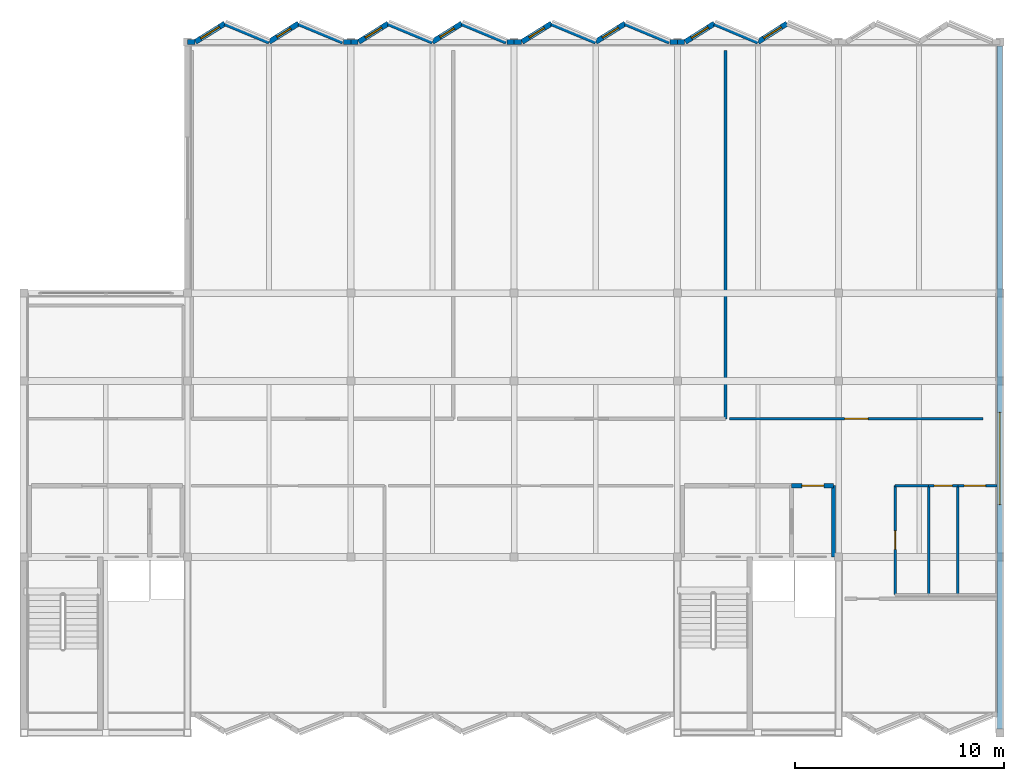
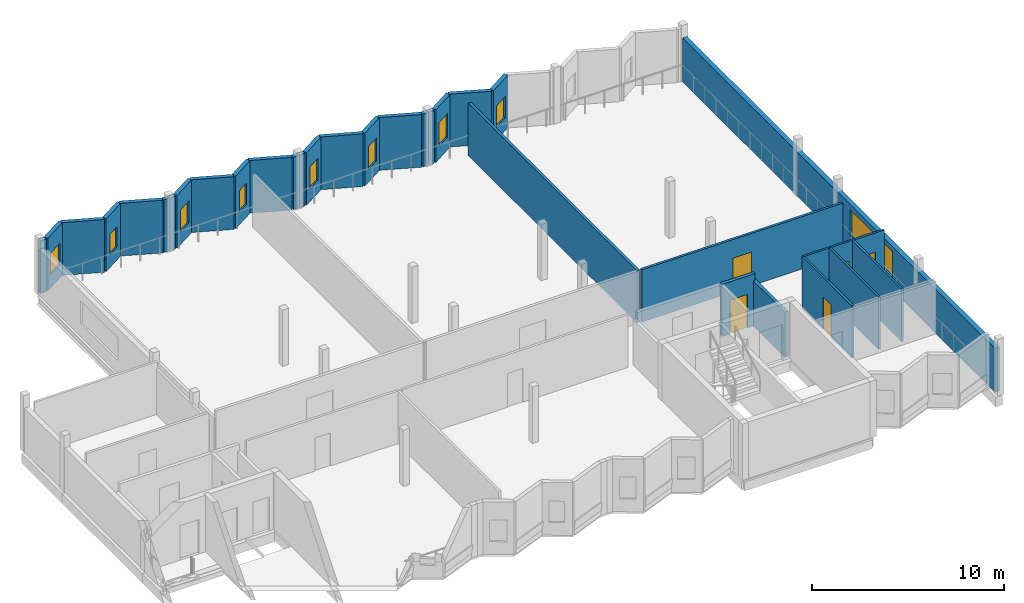
# One storey, part 6 of 11: 33 walls, 9 windows, 5 doors, 14 openings.
"""IFC4 building model written with IfcOpenShell, lengths in metres."""

from ifc_helpers import new_model, si_unit, direction, frame, frame_2d, origin, place, context, subcontext, project, spatial, rectangle, extrude, material, layer, layer_set, type_object, element, fill, save


model = new_model("IFC4")

# Units and contexts
model_context = context("Model", 3, precision=1e-05, world=origin(), true_north=direction((0.0, 1.0)))
body_context = subcontext(model_context, "Body", "Model", "MODEL_VIEW")
ifc_project = project(units=[si_unit("LENGTHUNIT", "METRE"), si_unit("AREAUNIT", "SQUARE_METRE"), si_unit("VOLUMEUNIT", "CUBIC_METRE"), si_unit("PLANEANGLEUNIT", "RADIAN"), si_unit("MASSUNIT", "GRAM", prefix="KILO")], contexts=[model_context])

# Site, building, storey
site_placement = place(None, origin())
site = spatial("IfcSite", under=ifc_project, at=site_placement, CompositionType="ELEMENT")
building_placement = place(site_placement, origin())
building = spatial("IfcBuilding", under=site, at=building_placement, Name="Vharandega Faculty of Natural Sciences", CompositionType="ELEMENT")
storey_placement = place(building_placement, frame((0.0, 0.0, 36.0)))
storey = spatial("IfcBuildingStorey", under=building, at=storey_placement, Name="L09", CompositionType="ELEMENT", Elevation=36.0)

# Wall, opening, door
ifc_material_1 = material(Name="Concrete C40/50", Category="concrete")
ifc_layer_1 = layer(ifc_material_1, 0.199951171875, Name="Concrete C40/50")
ifc_layer_set_1 = layer_set([ifc_layer_1], Name="Concrete C40/50")
wall_type_1 = type_object("IfcWallType", Name="Firefighting Lobby Wall 200", PredefinedType="PARTITIONING", material=ifc_layer_set_1)
wall_1_placement = place(storey_placement, frame((151.449951171875, 75.800048828125, 0.0), z_axis=(0.0, 0.0, 1.0), x_axis=(1.0, 0.0, 0.0)))
wall_1 = element("IfcWall", 1, at=wall_1_placement, inside=storey, type_object=wall_type_1, Name="Interior Wall PW-LL-C2-L09-N", PredefinedType="PARTITIONING", context=body_context, shape_type="SweptSolid", body=[
    extrude(rectangle(XDim=2.0, YDim=0.199951171875, at=frame_2d((1.0, 0.0))), origin(), (0.0, 0.0, 1.0), 3.320068359375),
])
opening_1_placement = place(wall_1_placement, frame((0.5, 0.0, 0.0)))
opening_1 = element("IfcOpeningElement", 2, at=opening_1_placement, cuts=wall_1, Name="Opening FD4", PredefinedType="OPENING", context=body_context, shape_type="SweptSolid", body=[
    extrude(rectangle(XDim=1.050048828125, YDim=2.14990234375, at=frame_2d((0.52490234375, 1.074951171875))), frame((0.0, 0.10986328125, 0.0), z_axis=(0.0, -1.0, 0.0), x_axis=(1.0, 0.0, 0.0)), (0.0, 0.0, 1.0), 0.219970703125),
])
ifc_material_2 = material(Name="Solid-core hardwood timber fire door", Category="wood")
door_type_1 = type_object("IfcDoorType", Name="FD4-LAB-SGL-1050x2150", OperationType="NOTDEFINED", PredefinedType="DOOR", material=ifc_material_2)
door_1_placement = place(opening_1_placement, origin())
door_1 = element("IfcDoor", 3, at=door_1_placement, inside=storey, type_object=door_type_1, Name="Lift Lobby C2 Door FD4", OperationType="SINGLE_SWING_LEFT", OverallHeight=2.14990234375, OverallWidth=1.050048828125, PredefinedType="DOOR", context=body_context, shape_type="SweptSolid", body=[
    extrude(rectangle(XDim=1.050048828125, YDim=2.14990234375, at=frame_2d((0.52490234375, 1.074951171875))), frame((0.0, 0.02490234375, 0.0), z_axis=(0.0, -1.0, 0.0), x_axis=(1.0, 0.0, 0.0)), (0.0, 0.0, 1.0), 0.050048828125),
])
fill(opening_1, door_1)

# Walls
wall_2_placement = place(storey_placement, frame((153.449951171875, 72.39990234375, 0.0), z_axis=(0.0, 0.0, 1.0), x_axis=(0.0, 1.0, 0.0)))
element("IfcWall", 4, at=wall_2_placement, inside=storey, type_object=wall_type_1, Name="Interior Wall PW-LL-C2-L09-E", PredefinedType="PARTITIONING", context=body_context, shape_type="SweptSolid", body=[
    extrude(rectangle(XDim=3.400146484375, YDim=0.199951171875, at=frame_2d((1.7001953125, 0.0))), origin(), (0.0, 0.0, 1.0), 2.8798828125),
])
ifc_material_3 = material(Name="Gypsum fire-board on steel stud", Category="steel")
ifc_layer_2 = layer(ifc_material_3, 0.159912109375, Name="Gypsum fire-board on steel stud")
ifc_layer_set_2 = layer_set([ifc_layer_2], Name="Gypsum fire-board on steel stud")
wall_type_2 = type_object("IfcWallType", Name="Laboratory Fire Corridor Wall 160", PredefinedType="PARTITIONING", material=ifc_layer_set_2)
wall_3_placement = place(storey_placement, frame((148.300048828125, 79.0, 0.0), z_axis=(0.0, 0.0, 1.0), x_axis=(0.0, 1.0, 0.0)))
element("IfcWall", 5, at=wall_3_placement, inside=storey, type_object=wall_type_2, Name="Interior Wall PW-L09-R09E", PredefinedType="PARTITIONING", context=body_context, shape_type="SweptSolid", body=[
    extrude(rectangle(XDim=17.60009765625, YDim=0.159912109375, at=frame_2d((8.800048828125, 0.0))), origin(), (0.0, 0.0, 1.0), 3.340087890625),
])

# Wall, opening, door
ifc_material_4 = material(Name="Gypsum acoustic partition", Category="gypsum")
ifc_layer_3 = layer(ifc_material_4, 0.139892578125, Name="Gypsum acoustic partition")
ifc_layer_set_3 = layer_set([ifc_layer_3], Name="Gypsum acoustic partition")
wall_type_3 = type_object("IfcWallType", Name="Room Partition Wall 140", PredefinedType="PARTITIONING", material=ifc_layer_set_3)
wall_4_placement = place(storey_placement, frame((148.5, 79.0, 0.0), z_axis=(0.0, 0.0, 1.0), x_axis=(1.0, 0.0, 0.0)))
wall_4 = element("IfcWall", 6, at=wall_4_placement, inside=storey, type_object=wall_type_3, Name="Interior Wall PW-L09-R10S", PredefinedType="PARTITIONING", context=body_context, shape_type="SweptSolid", body=[
    extrude(rectangle(XDim=12.10009765625, YDim=0.139892578125, at=frame_2d((6.050048828125, 0.0))), origin(), (0.0, 0.0, 1.0), 3.340087890625),
])
opening_2_placement = place(wall_4_placement, frame((5.489990234375, 0.0, 0.0)))
opening_2 = element("IfcOpeningElement", 7, at=opening_2_placement, cuts=wall_4, Name="Opening D0371", PredefinedType="OPENING", context=body_context, shape_type="SweptSolid", body=[
    extrude(rectangle(XDim=1.1201171875, YDim=2.14990234375, at=frame_2d((0.56005859375, 1.074951171875))), frame((0.0, 0.080078125, 0.0), z_axis=(0.0, -1.0, 0.0), x_axis=(1.0, 0.0, 0.0)), (0.0, 0.0, 1.0), 0.159912109375),
])
ifc_material_5 = material(Name="Solid-core hardwood timber fire door", Category="wood")
door_type_2 = type_object("IfcDoorType", Name="ID12-STUDIO-1120x2150", OperationType="NOTDEFINED", PredefinedType="DOOR", material=ifc_material_5)
door_2_placement = place(opening_2_placement, origin())
door_2 = element("IfcDoor", 8, at=door_2_placement, inside=storey, type_object=door_type_2, Name="Postgraduate Write-Up Studio 9A Door D0371", OperationType="SINGLE_SWING_RIGHT", OverallHeight=2.14990234375, OverallWidth=1.1201171875, PredefinedType="DOOR", context=body_context, shape_type="SweptSolid", body=[
    extrude(rectangle(XDim=1.1201171875, YDim=2.14990234375, at=frame_2d((0.56005859375, 1.074951171875))), frame((0.0, 0.02490234375, 0.0), z_axis=(0.0, -1.0, 0.0), x_axis=(1.0, 0.0, 0.0)), (0.0, 0.0, 1.0), 0.050048828125),
])
fill(opening_2, door_2)

# Wall
ifc_material_6 = material(Name="Moisture-resistant gypsum partition", Category="gypsum")
ifc_layer_4 = layer(ifc_material_6, 0.1201171875, Name="Moisture-resistant gypsum partition")
ifc_layer_set_4 = layer_set([ifc_layer_4], Name="Moisture-resistant gypsum partition")
wall_type_4 = type_object("IfcWallType", Name="Sanitary Wet Wall 120", PredefinedType="PARTITIONING", material=ifc_layer_set_4)
wall_5_placement = place(storey_placement, frame((156.39990234375, 75.800048828125, 0.0), z_axis=(0.0, 0.0, 1.0), x_axis=(1.0, 0.0, 0.0)))
element("IfcWall", 9, at=wall_5_placement, inside=storey, type_object=wall_type_4, Name="Interior Wall PW-L09-R04N", PredefinedType="PARTITIONING", context=body_context, shape_type="SweptSolid", body=[
    extrude(rectangle(XDim=1.60009765625, YDim=0.1201171875, at=frame_2d((0.800048828125, 0.0))), origin(), (0.0, 0.0, 1.0), 3.340087890625),
])

# Wall, opening, door
wall_6_placement = place(storey_placement, frame((156.39990234375, 70.60009765625, 0.0), z_axis=(0.0, 0.0, 1.0), x_axis=(0.0, 1.0, 0.0)))
wall_6 = element("IfcWall", 10, at=wall_6_placement, inside=storey, type_object=wall_type_4, Name="Interior Wall PW-L09-R04W", PredefinedType="PARTITIONING", context=body_context, shape_type="SweptSolid", body=[
    extrude(rectangle(XDim=5.199951171875, YDim=0.1201171875, at=frame_2d((2.60009765625, 0.0))), origin(), (0.0, 0.0, 1.0), 3.340087890625),
])
opening_3_placement = place(wall_6_placement, frame((2.159912109375, 0.0, 0.0)))
opening_3 = element("IfcOpeningElement", 11, at=opening_3_placement, cuts=wall_6, Name="Opening D0365", PredefinedType="OPENING", context=body_context, shape_type="SweptSolid", body=[
    extrude(rectangle(XDim=0.8798828125, YDim=2.10009765625, at=frame_2d((0.43994140625, 1.050048828125))), frame((0.0, 0.070068359375, 0.0), z_axis=(0.0, -1.0, 0.0), x_axis=(1.0, 0.0, 0.0)), (0.0, 0.0, 1.0), 0.14013671875),
])
ifc_material_7 = material(Name="Solid-core hardwood timber fire door", Category="wood")
door_type_3 = type_object("IfcDoorType", Name="ID06-WC-0880x2100", OperationType="NOTDEFINED", PredefinedType="DOOR", material=ifc_material_7)
door_3_placement = place(opening_3_placement, origin())
door_3 = element("IfcDoor", 12, at=door_3_placement, inside=storey, type_object=door_type_3, Name="L09 Male Washroom Door D0365", OperationType="SINGLE_SWING_RIGHT", OverallHeight=2.10009765625, OverallWidth=0.8798828125, PredefinedType="DOOR", context=body_context, shape_type="SweptSolid", body=[
    extrude(rectangle(XDim=0.8798828125, YDim=2.10009765625, at=frame_2d((0.43994140625, 1.050048828125))), frame((0.0, 0.02490234375, 0.0), z_axis=(0.0, -1.0, 0.0), x_axis=(1.0, 0.0, 0.0)), (0.0, 0.0, 1.0), 0.050048828125),
])
fill(opening_3, door_3)

# Wall
wall_7_placement = place(storey_placement, frame((158.0, 70.60009765625, 0.0), z_axis=(0.0, 0.0, 1.0), x_axis=(0.0, 1.0, 0.0)))
element("IfcWall", 13, at=wall_7_placement, inside=storey, type_object=wall_type_4, Name="Interior Wall PW-L09-R04E", PredefinedType="PARTITIONING", context=body_context, shape_type="SweptSolid", body=[
    extrude(rectangle(XDim=5.199951171875, YDim=0.1201171875, at=frame_2d((2.60009765625, 0.0))), origin(), (0.0, 0.0, 1.0), 3.340087890625),
])

# Wall, opening, door
wall_8_placement = place(storey_placement, frame((158.0, 75.800048828125, 0.0), z_axis=(0.0, 0.0, 1.0), x_axis=(1.0, 0.0, 0.0)))
wall_8 = element("IfcWall", 14, at=wall_8_placement, inside=storey, type_object=wall_type_4, Name="Interior Wall PW-L09-R05N", PredefinedType="PARTITIONING", context=body_context, shape_type="SweptSolid", body=[
    extrude(rectangle(XDim=1.39990234375, YDim=0.1201171875, at=frame_2d((0.699951171875, 0.0))), origin(), (0.0, 0.0, 1.0), 3.340087890625),
])
opening_4_placement = place(wall_8_placement, frame((0.260009765625, 0.0, 0.0)))
opening_4 = element("IfcOpeningElement", 15, at=opening_4_placement, cuts=wall_8, Name="Opening D0366", PredefinedType="OPENING", context=body_context, shape_type="SweptSolid", body=[
    extrude(rectangle(XDim=0.8798828125, YDim=2.10009765625, at=frame_2d((0.43994140625, 1.050048828125))), frame((0.0, 0.070068359375, 0.0), z_axis=(0.0, -1.0, 0.0), x_axis=(1.0, 0.0, 0.0)), (0.0, 0.0, 1.0), 0.14013671875),
])
door_4_placement = place(opening_4_placement, origin())
door_4 = element("IfcDoor", 16, at=door_4_placement, inside=storey, type_object=door_type_3, Name="L09 Female Washroom Door D0366", OperationType="SINGLE_SWING_LEFT", OverallHeight=2.10009765625, OverallWidth=0.8798828125, PredefinedType="DOOR", context=body_context, shape_type="SweptSolid", body=[
    extrude(rectangle(XDim=0.8798828125, YDim=2.10009765625, at=frame_2d((0.43994140625, 1.050048828125))), frame((0.0, 0.02490234375, 0.0), z_axis=(0.0, -1.0, 0.0), x_axis=(1.0, 0.0, 0.0)), (0.0, 0.0, 1.0), 0.050048828125),
])
fill(opening_4, door_4)

# Wall
wall_9_placement = place(storey_placement, frame((159.39990234375, 70.60009765625, 0.0), z_axis=(0.0, 0.0, 1.0), x_axis=(0.0, 1.0, 0.0)))
element("IfcWall", 17, at=wall_9_placement, inside=storey, type_object=wall_type_4, Name="Interior Wall PW-L09-R05E", PredefinedType="PARTITIONING", context=body_context, shape_type="SweptSolid", body=[
    extrude(rectangle(XDim=5.199951171875, YDim=0.1201171875, at=frame_2d((2.60009765625, 0.0))), origin(), (0.0, 0.0, 1.0), 3.340087890625),
])

# Wall, opening, door
wall_10_placement = place(storey_placement, frame((159.39990234375, 75.800048828125, 0.0), z_axis=(0.0, 0.0, 1.0), x_axis=(1.0, 0.0, 0.0)))
wall_10 = element("IfcWall", 18, at=wall_10_placement, inside=storey, type_object=wall_type_4, Name="Interior Wall PW-L09-R06N", PredefinedType="PARTITIONING", context=body_context, shape_type="SweptSolid", body=[
    extrude(rectangle(XDim=1.860107421875, YDim=0.1201171875, at=frame_2d((0.93017578125, 0.0))), origin(), (0.0, 0.0, 1.0), 3.340087890625),
])
opening_5_placement = place(wall_10_placement, frame((0.300048828125, 0.0, 0.0)))
opening_5 = element("IfcOpeningElement", 19, at=opening_5_placement, cuts=wall_10, Name="Opening D0367", PredefinedType="OPENING", context=body_context, shape_type="SweptSolid", body=[
    extrude(rectangle(XDim=1.02001953125, YDim=2.10009765625, at=frame_2d((0.510009765625, 1.050048828125))), frame((0.0, 0.070068359375, 0.0), z_axis=(0.0, -1.0, 0.0), x_axis=(1.0, 0.0, 0.0)), (0.0, 0.0, 1.0), 0.14013671875),
])
ifc_material_8 = material(Name="Solid-core hardwood timber fire door", Category="wood")
door_type_4 = type_object("IfcDoorType", Name="ID07-ACCWC-1020x2100", OperationType="NOTDEFINED", PredefinedType="DOOR", material=ifc_material_8)
door_5_placement = place(opening_5_placement, origin())
door_5 = element("IfcDoor", 20, at=door_5_placement, inside=storey, type_object=door_type_4, Name="L09 Accessible WC Door D0367", OperationType="SINGLE_SWING_RIGHT", OverallHeight=2.10009765625, OverallWidth=1.02001953125, PredefinedType="DOOR", context=body_context, shape_type="SweptSolid", body=[
    extrude(rectangle(XDim=1.02001953125, YDim=2.10009765625, at=frame_2d((0.510009765625, 1.050048828125))), frame((0.0, 0.02490234375, 0.0), z_axis=(0.0, -1.0, 0.0), x_axis=(1.0, 0.0, 0.0)), (0.0, 0.0, 1.0), 0.050048828125),
])
fill(opening_5, door_5)

# Wall, opening, window
ifc_material_9 = material(Name="Precast concrete C40/50", Category="concrete")
ifc_layer_5 = layer(ifc_material_9, 0.25, Name="Precast concrete C40/50")
ifc_layer_set_5 = layer_set([ifc_layer_5], Name="Precast concrete C40/50")
wall_type_5 = type_object("IfcWallType", Name="Sawtooth Glazed-Face Precast Wall 250", PredefinedType="SOLIDWALL", material=ifc_layer_set_5)
wall_11_placement = place(storey_placement, frame((122.97998046875, 97.0, 0.0), z_axis=(0.0, 0.0, 1.0), x_axis=(0.848023086369, 0.529959286158, 0.0)))
wall_11 = element("IfcWall", 21, at=wall_11_placement, inside=storey, type_object=wall_type_5, Name="Exterior Wall EW-SAW-L09-N01G", PredefinedType="SOLIDWALL", context=body_context, shape_type="SweptSolid", body=[
    extrude(rectangle(XDim=1.660400390625, YDim=0.25, at=frame_2d((0.830078125, 0.0))), origin(), (0.0, 0.0, 1.0), 3.360107421875),
])
opening_6_placement = place(wall_11_placement, frame((0.30517578125, 0.0, 0.820068359375)))
opening_6 = element("IfcOpeningElement", 22, at=opening_6_placement, cuts=wall_11, Name="Opening WN-06", PredefinedType="OPENING", context=body_context, shape_type="SweptSolid", body=[
    extrude(rectangle(XDim=1.050048828125, YDim=1.39990234375, at=frame_2d((0.52490234375, 0.699951171875))), frame((0.0, 0.135009765625, 0.0), z_axis=(0.0, -1.0, 0.0), x_axis=(1.0, 0.0, 0.0)), (0.0, 0.0, 1.0), 0.27001953125),
])
ifc_material_10 = material(Name="Double-glazed solar-control glass in thermally broken aluminium frame", Category="aluminium")
window_type_1 = type_object("IfcWindowType", Name="WIN-SAW-105x140", PartitioningType="SINGLE_PANEL", PredefinedType="WINDOW", material=ifc_material_10)
window_1_placement = place(opening_6_placement, origin())
window_1 = element("IfcWindow", 23, at=window_1_placement, inside=storey, type_object=window_type_1, Name="Window WIN-L09-0089", OverallHeight=1.39990234375, OverallWidth=1.050048828125, PartitioningType="SINGLE_PANEL", PredefinedType="WINDOW", context=body_context, shape_type="SweptSolid", body=[
    extrude(rectangle(XDim=1.050048828125, YDim=1.39990234375, at=frame_2d((0.52490234375, 0.699951171875))), frame((0.0, 0.030029296875, 0.0), z_axis=(0.0, -1.0, 0.0), x_axis=(1.0, 0.0, 0.0)), (0.0, 0.0, 1.0), 0.06005859375),
])
fill(opening_6, window_1)

wall_12_placement = place(storey_placement, frame((126.5, 97.0, 0.0), z_axis=(0.0, 0.0, 1.0), x_axis=(0.848023086369, 0.529959286158, 0.0)))
wall_12 = element("IfcWall", 24, at=wall_12_placement, inside=storey, type_object=wall_type_5, Name="Exterior Wall EW-SAW-L09-N02G", PredefinedType="SOLIDWALL", context=body_context, shape_type="SweptSolid", body=[
    extrude(rectangle(XDim=1.660400390625, YDim=0.25, at=frame_2d((0.830078125, 0.0))), origin(), (0.0, 0.0, 1.0), 3.360107421875),
])
opening_7_placement = place(wall_12_placement, frame((0.440185546875, 0.0, 0.820068359375)))
opening_7 = element("IfcOpeningElement", 25, at=opening_7_placement, cuts=wall_12, Name="Opening WN-06A", PredefinedType="OPENING", context=body_context, shape_type="SweptSolid", body=[
    extrude(rectangle(XDim=0.780029296875, YDim=1.300048828125, at=frame_2d((0.39013671875, 0.64990234375))), frame((0.0, 0.135009765625, 0.0), z_axis=(0.0, -1.0, 0.0), x_axis=(1.0, 0.0, 0.0)), (0.0, 0.0, 1.0), 0.27001953125),
])
ifc_material_11 = material(Name="Double-glazed solar-control glass in thermally broken aluminium frame", Category="aluminium")
window_type_2 = type_object("IfcWindowType", Name="WIN-SAW-078x130", PartitioningType="SINGLE_PANEL", PredefinedType="WINDOW", material=ifc_material_11)
window_2_placement = place(opening_7_placement, origin())
window_2 = element("IfcWindow", 26, at=window_2_placement, inside=storey, type_object=window_type_2, Name="Window WIN-L09-0090", OverallHeight=1.300048828125, OverallWidth=0.780029296875, PartitioningType="SINGLE_PANEL", PredefinedType="WINDOW", context=body_context, shape_type="SweptSolid", body=[
    extrude(rectangle(XDim=0.780029296875, YDim=1.300048828125, at=frame_2d((0.39013671875, 0.64990234375))), frame((0.0, 0.030029296875, 0.0), z_axis=(0.0, -1.0, 0.0), x_axis=(1.0, 0.0, 0.0)), (0.0, 0.0, 1.0), 0.06005859375),
])
fill(opening_7, window_2)

wall_13_placement = place(storey_placement, frame((130.780029296875, 97.0, 0.0), z_axis=(0.0, 0.0, 1.0), x_axis=(0.848023086369, 0.529959286158, 0.0)))
wall_13 = element("IfcWall", 27, at=wall_13_placement, inside=storey, type_object=wall_type_5, Name="Exterior Wall EW-SAW-L09-N03G", PredefinedType="SOLIDWALL", context=body_context, shape_type="SweptSolid", body=[
    extrude(rectangle(XDim=1.660400390625, YDim=0.25, at=frame_2d((0.830078125, 0.0))), origin(), (0.0, 0.0, 1.0), 3.360107421875),
])
opening_8_placement = place(wall_13_placement, frame((0.3701171875, 0.0, 0.820068359375)))
opening_8 = element("IfcOpeningElement", 28, at=opening_8_placement, cuts=wall_13, Name="Opening WN-06B", PredefinedType="OPENING", context=body_context, shape_type="SweptSolid", body=[
    extrude(rectangle(XDim=0.919921875, YDim=1.3798828125, at=frame_2d((0.4599609375, 0.68994140625))), frame((0.0, 0.135009765625, 0.0), z_axis=(0.0, -1.0, 0.0), x_axis=(1.0, 0.0, 0.0)), (0.0, 0.0, 1.0), 0.27001953125),
])
ifc_material_12 = material(Name="Double-glazed solar-control glass in thermally broken aluminium frame", Category="aluminium")
window_type_3 = type_object("IfcWindowType", Name="WIN-SAW-092x138", PartitioningType="SINGLE_PANEL", PredefinedType="WINDOW", material=ifc_material_12)
window_3_placement = place(opening_8_placement, origin())
window_3 = element("IfcWindow", 29, at=window_3_placement, inside=storey, type_object=window_type_3, Name="Window WIN-L09-0091", OverallHeight=1.3798828125, OverallWidth=0.919921875, PartitioningType="SINGLE_PANEL", PredefinedType="WINDOW", context=body_context, shape_type="SweptSolid", body=[
    extrude(rectangle(XDim=0.919921875, YDim=1.3798828125, at=frame_2d((0.4599609375, 0.68994140625))), frame((0.0, 0.030029296875, 0.0), z_axis=(0.0, -1.0, 0.0), x_axis=(1.0, 0.0, 0.0)), (0.0, 0.0, 1.0), 0.06005859375),
])
fill(opening_8, window_3)

wall_14_placement = place(storey_placement, frame((134.300048828125, 97.0, 0.0), z_axis=(0.0, 0.0, 1.0), x_axis=(0.848023086369, 0.529959286158, 0.0)))
wall_14 = element("IfcWall", 30, at=wall_14_placement, inside=storey, type_object=wall_type_5, Name="Exterior Wall EW-SAW-L09-N04G", PredefinedType="SOLIDWALL", context=body_context, shape_type="SweptSolid", body=[
    extrude(rectangle(XDim=1.660400390625, YDim=0.25, at=frame_2d((0.830078125, 0.0))), origin(), (0.0, 0.0, 1.0), 3.360107421875),
])
opening_9_placement = place(wall_14_placement, frame((0.43017578125, 0.0, 0.820068359375)))
opening_9 = element("IfcOpeningElement", 31, at=opening_9_placement, cuts=wall_14, Name="Opening WN-01", PredefinedType="OPENING", context=body_context, shape_type="SweptSolid", body=[
    extrude(rectangle(XDim=0.800048828125, YDim=1.35009765625, at=frame_2d((0.39990234375, 0.675048828125))), frame((0.0, 0.135009765625, 0.0), z_axis=(0.0, -1.0, 0.0), x_axis=(1.0, 0.0, 0.0)), (0.0, 0.0, 1.0), 0.27001953125),
])
ifc_material_13 = material(Name="Double-glazed solar-control glass in thermally broken aluminium frame", Category="aluminium")
window_type_4 = type_object("IfcWindowType", Name="WIN-SAW-080x135", PartitioningType="SINGLE_PANEL", PredefinedType="WINDOW", material=ifc_material_13)
window_4_placement = place(opening_9_placement, origin())
window_4 = element("IfcWindow", 32, at=window_4_placement, inside=storey, type_object=window_type_4, Name="Window WIN-L09-0092", OverallHeight=1.35009765625, OverallWidth=0.800048828125, PartitioningType="SINGLE_PANEL", PredefinedType="WINDOW", context=body_context, shape_type="SweptSolid", body=[
    extrude(rectangle(XDim=0.800048828125, YDim=1.35009765625, at=frame_2d((0.39990234375, 0.675048828125))), frame((0.0, 0.030029296875, 0.0), z_axis=(0.0, -1.0, 0.0), x_axis=(1.0, 0.0, 0.0)), (0.0, 0.0, 1.0), 0.06005859375),
])
fill(opening_9, window_4)

wall_15_placement = place(storey_placement, frame((138.580078125, 97.0, 0.0), z_axis=(0.0, 0.0, 1.0), x_axis=(0.848023086369, 0.529959286158, 0.0)))
wall_15 = element("IfcWall", 33, at=wall_15_placement, inside=storey, type_object=wall_type_5, Name="Exterior Wall EW-SAW-L09-N05G", PredefinedType="SOLIDWALL", context=body_context, shape_type="SweptSolid", body=[
    extrude(rectangle(XDim=1.660400390625, YDim=0.25, at=frame_2d((0.830078125, 0.0))), origin(), (0.0, 0.0, 1.0), 3.360107421875),
])
opening_10_placement = place(wall_15_placement, frame((0.4052734375, 0.0, 0.820068359375)))
opening_10 = element("IfcOpeningElement", 34, at=opening_10_placement, cuts=wall_15, Name="Opening WN-02", PredefinedType="OPENING", context=body_context, shape_type="SweptSolid", body=[
    extrude(rectangle(XDim=0.85009765625, YDim=1.39990234375, at=frame_2d((0.425048828125, 0.699951171875))), frame((0.0, 0.135009765625, 0.0), z_axis=(0.0, -1.0, 0.0), x_axis=(1.0, 0.0, 0.0)), (0.0, 0.0, 1.0), 0.27001953125),
])
ifc_material_14 = material(Name="Double-glazed solar-control glass in thermally broken aluminium frame", Category="aluminium")
window_type_5 = type_object("IfcWindowType", Name="WIN-SAW-085x140", PartitioningType="SINGLE_PANEL", PredefinedType="WINDOW", material=ifc_material_14)
window_5_placement = place(opening_10_placement, origin())
window_5 = element("IfcWindow", 35, at=window_5_placement, inside=storey, type_object=window_type_5, Name="Window WIN-L09-0093", OverallHeight=1.39990234375, OverallWidth=0.85009765625, PartitioningType="SINGLE_PANEL", PredefinedType="WINDOW", context=body_context, shape_type="SweptSolid", body=[
    extrude(rectangle(XDim=0.85009765625, YDim=1.39990234375, at=frame_2d((0.425048828125, 0.699951171875))), frame((0.0, 0.030029296875, 0.0), z_axis=(0.0, -1.0, 0.0), x_axis=(1.0, 0.0, 0.0)), (0.0, 0.0, 1.0), 0.06005859375),
])
fill(opening_10, window_5)

wall_16_placement = place(storey_placement, frame((142.10009765625, 97.0, 0.0), z_axis=(0.0, 0.0, 1.0), x_axis=(0.848023086369, 0.529959286158, 0.0)))
wall_16 = element("IfcWall", 36, at=wall_16_placement, inside=storey, type_object=wall_type_5, Name="Exterior Wall EW-SAW-L09-N06G", PredefinedType="SOLIDWALL", context=body_context, shape_type="SweptSolid", body=[
    extrude(rectangle(XDim=1.660400390625, YDim=0.25, at=frame_2d((0.830078125, 0.0))), origin(), (0.0, 0.0, 1.0), 3.360107421875),
])
opening_11_placement = place(wall_16_placement, frame((0.380126953125, 0.0, 0.820068359375)))
opening_11 = element("IfcOpeningElement", 37, at=opening_11_placement, cuts=wall_16, Name="Opening WN-03", PredefinedType="OPENING", context=body_context, shape_type="SweptSolid", body=[
    extrude(rectangle(XDim=0.89990234375, YDim=1.449951171875, at=frame_2d((0.449951171875, 0.72509765625))), frame((0.0, 0.135009765625, 0.0), z_axis=(0.0, -1.0, 0.0), x_axis=(1.0, 0.0, 0.0)), (0.0, 0.0, 1.0), 0.27001953125),
])
ifc_material_15 = material(Name="Double-glazed solar-control glass in thermally broken aluminium frame", Category="aluminium")
window_type_6 = type_object("IfcWindowType", Name="WIN-SAW-090x145", PartitioningType="SINGLE_PANEL", PredefinedType="WINDOW", material=ifc_material_15)
window_6_placement = place(opening_11_placement, origin())
window_6 = element("IfcWindow", 38, at=window_6_placement, inside=storey, type_object=window_type_6, Name="Window WIN-L09-0094", OverallHeight=1.449951171875, OverallWidth=0.89990234375, PartitioningType="SINGLE_PANEL", PredefinedType="WINDOW", context=body_context, shape_type="SweptSolid", body=[
    extrude(rectangle(XDim=0.89990234375, YDim=1.449951171875, at=frame_2d((0.449951171875, 0.72509765625))), frame((0.0, 0.030029296875, 0.0), z_axis=(0.0, -1.0, 0.0), x_axis=(1.0, 0.0, 0.0)), (0.0, 0.0, 1.0), 0.06005859375),
])
fill(opening_11, window_6)

wall_17_placement = place(storey_placement, frame((146.3798828125, 97.0, 0.0), z_axis=(0.0, 0.0, 1.0), x_axis=(0.844626536799, 0.535355968805, 0.0)))
wall_17 = element("IfcWall", 39, at=wall_17_placement, inside=storey, type_object=wall_type_5, Name="Exterior Wall EW-SAW-L09-N07G", PredefinedType="SOLIDWALL", context=body_context, shape_type="SweptSolid", body=[
    extrude(rectangle(XDim=1.6435546875, YDim=0.25, at=frame_2d((0.82177734375, 0.0))), origin(), (0.0, 0.0, 1.0), 3.360107421875),
])
opening_12_placement = place(wall_17_placement, frame((0.3466796875, 0.0, 0.820068359375)))
opening_12 = element("IfcOpeningElement", 40, at=opening_12_placement, cuts=wall_17, Name="Opening WN-04", PredefinedType="OPENING", context=body_context, shape_type="SweptSolid", body=[
    extrude(rectangle(XDim=0.949951171875, YDim=1.5, at=frame_2d((0.47509765625, 0.75))), frame((0.0, 0.135009765625, 0.0), z_axis=(0.0, -1.0, 0.0), x_axis=(1.0, 0.0, 0.0)), (0.0, 0.0, 1.0), 0.27001953125),
])
ifc_material_16 = material(Name="Double-glazed solar-control glass in thermally broken aluminium frame", Category="aluminium")
window_type_7 = type_object("IfcWindowType", Name="WIN-SAW-095x150", PartitioningType="SINGLE_PANEL", PredefinedType="WINDOW", material=ifc_material_16)
window_7_placement = place(opening_12_placement, origin())
window_7 = element("IfcWindow", 41, at=window_7_placement, inside=storey, type_object=window_type_7, Name="Window WIN-L09-0095", OverallHeight=1.5, OverallWidth=0.949951171875, PartitioningType="SINGLE_PANEL", PredefinedType="WINDOW", context=body_context, shape_type="SweptSolid", body=[
    extrude(rectangle(XDim=0.949951171875, YDim=1.5, at=frame_2d((0.47509765625, 0.75))), frame((0.0, 0.030029296875, 0.0), z_axis=(0.0, -1.0, 0.0), x_axis=(1.0, 0.0, 0.0)), (0.0, 0.0, 1.0), 0.06005859375),
])
fill(opening_12, window_7)

wall_18_placement = place(storey_placement, frame((149.85009765625, 97.0, 0.0), z_axis=(0.0, 0.0, 1.0), x_axis=(0.844583954912, 0.535423143976, 0.0)))
wall_18 = element("IfcWall", 42, at=wall_18_placement, inside=storey, type_object=wall_type_5, Name="Exterior Wall EW-SAW-L09-N08G", PredefinedType="SOLIDWALL", context=body_context, shape_type="SweptSolid", body=[
    extrude(rectangle(XDim=1.643310546875, YDim=0.25, at=frame_2d((0.82177734375, 0.0))), origin(), (0.0, 0.0, 1.0), 3.360107421875),
])
opening_13_placement = place(wall_18_placement, frame((0.32177734375, 0.0, 0.820068359375)))
opening_13 = element("IfcOpeningElement", 43, at=opening_13_placement, cuts=wall_18, Name="Opening WN-05", PredefinedType="OPENING", context=body_context, shape_type="SweptSolid", body=[
    extrude(rectangle(XDim=1.0, YDim=1.35009765625, at=frame_2d((0.5, 0.675048828125))), frame((0.0, 0.135009765625, 0.0), z_axis=(0.0, -1.0, 0.0), x_axis=(1.0, 0.0, 0.0)), (0.0, 0.0, 1.0), 0.27001953125),
])
ifc_material_17 = material(Name="Double-glazed solar-control glass in thermally broken aluminium frame", Category="aluminium")
window_type_8 = type_object("IfcWindowType", Name="WIN-SAW-100x135", PartitioningType="SINGLE_PANEL", PredefinedType="WINDOW", material=ifc_material_17)
window_8_placement = place(opening_13_placement, origin())
window_8 = element("IfcWindow", 44, at=window_8_placement, inside=storey, type_object=window_type_8, Name="Window WIN-L09-0096", OverallHeight=1.35009765625, OverallWidth=1.0, PartitioningType="SINGLE_PANEL", PredefinedType="WINDOW", context=body_context, shape_type="SweptSolid", body=[
    extrude(rectangle(XDim=1.0, YDim=1.35009765625, at=frame_2d((0.5, 0.675048828125))), frame((0.0, 0.030029296875, 0.0), z_axis=(0.0, -1.0, 0.0), x_axis=(1.0, 0.0, 0.0)), (0.0, 0.0, 1.0), 0.06005859375),
])
fill(opening_13, window_8)

# Walls
ifc_material_18 = material(Name="Precast concrete C40/50", Category="concrete")
ifc_layer_6 = layer(ifc_material_18, 0.22998046875, Name="Precast concrete C40/50")
ifc_layer_set_6 = layer_set([ifc_layer_6], Name="Precast concrete C40/50")
wall_type_6 = type_object("IfcWallType", Name="Sawtooth Solid White Precast Wall 230", PredefinedType="SOLIDWALL", material=ifc_layer_set_6)
for number, where, z_axis, x_axis, name in (
    (45, (122.60009765625, 97.0, 0.0), (0.0, 0.0, 1.0), (1.0, 0.0, 0.0), "Exterior Wall EW-SHL-L09-N16L"),
    (46, (130.050048828125, 97.0, 0.0), (0.0, 0.0, 1.0), (1.0, 0.0, 0.0), "Exterior Wall EW-SHL-L09-N17R"),
):
    element("IfcWall", number, at=place(storey_placement, frame(where, z_axis=z_axis, x_axis=x_axis)), inside=storey, type_object=wall_type_6, Name=name, PredefinedType="SOLIDWALL", context=body_context, shape_type="SweptSolid", body=[
        extrude(rectangle(XDim=0.349853515625, YDim=0.22998046875, at=frame_2d((0.1748046875, 0.0))), origin(), (0.0, 0.0, 1.0), 3.360107421875),
    ])
wall_19_placement = place(storey_placement, frame((130.39990234375, 97.0, 0.0), z_axis=(0.0, 0.0, 1.0), x_axis=(1.0, 0.0, 0.0)))
element("IfcWall", 47, at=wall_19_placement, inside=storey, type_object=wall_type_6, Name="Exterior Wall EW-SHL-L09-N17L", PredefinedType="SOLIDWALL", context=body_context, shape_type="SweptSolid", body=[
    extrude(rectangle(XDim=0.35009765625, YDim=0.22998046875, at=frame_2d((0.175048828125, 0.0))), origin(), (0.0, 0.0, 1.0), 3.360107421875),
])
wall_20_placement = place(storey_placement, frame((137.85009765625, 97.0, 0.0), z_axis=(0.0, 0.0, 1.0), x_axis=(1.0, 0.0, 0.0)))
element("IfcWall", 48, at=wall_20_placement, inside=storey, type_object=wall_type_6, Name="Exterior Wall EW-SHL-L09-N18R", PredefinedType="SOLIDWALL", context=body_context, shape_type="SweptSolid", body=[
    extrude(rectangle(XDim=0.349853515625, YDim=0.22998046875, at=frame_2d((0.1748046875, 0.0))), origin(), (0.0, 0.0, 1.0), 3.360107421875),
])
for number, where, z_axis, x_axis, name in (
    (49, (138.199951171875, 97.0, 0.0), (0.0, 0.0, 1.0), (1.0, 0.0, 0.0), "Exterior Wall EW-SHL-L09-N18L"),
    (50, (145.64990234375, 97.0, 0.0), (0.0, 0.0, 1.0), (1.0, 0.0, 0.0), "Exterior Wall EW-SHL-L09-N19R"),
    (51, (146.0, 97.0, 0.0), (0.0, 0.0, 1.0), (1.0, 0.0, 0.0), "Exterior Wall EW-SHL-L09-N19L"),
):
    element("IfcWall", number, at=place(storey_placement, frame(where, z_axis=z_axis, x_axis=x_axis)), inside=storey, type_object=wall_type_6, Name=name, PredefinedType="SOLIDWALL", context=body_context, shape_type="SweptSolid", body=[
        extrude(rectangle(XDim=0.35009765625, YDim=0.22998046875, at=frame_2d((0.175048828125, 0.0))), origin(), (0.0, 0.0, 1.0), 3.360107421875),
    ])
for number, where, z_axis, x_axis, name in (
    (52, (124.387939453125, 97.8798828125, 0.0), (0.0, 0.0, 1.0), (0.92309902008, -0.384562347517, 0.0), "Exterior Wall EW-SAW-L09-N01S"),
    (53, (127.907958984375, 97.8798828125, 0.0), (0.0, 0.0, 1.0), (0.92309902008, -0.384562347517, 0.0), "Exterior Wall EW-SAW-L09-N02S"),
    (54, (132.18798828125, 97.8798828125, 0.0), (0.0, 0.0, 1.0), (0.92309902008, -0.384562347517, 0.0), "Exterior Wall EW-SAW-L09-N03S"),
    (55, (135.7080078125, 97.8798828125, 0.0), (0.0, 0.0, 1.0), (0.92309902008, -0.384562347517, 0.0), "Exterior Wall EW-SAW-L09-N04S"),
    (56, (139.988037109375, 97.8798828125, 0.0), (0.0, 0.0, 1.0), (0.92309902008, -0.384562347517, 0.0), "Exterior Wall EW-SAW-L09-N05S"),
    (57, (143.508056640625, 97.8798828125, 0.0), (0.0, 0.0, 1.0), (0.92309902008, -0.384562347517, 0.0), "Exterior Wall EW-SAW-L09-N06S"),
):
    element("IfcWall", number, at=place(storey_placement, frame(where, z_axis=z_axis, x_axis=x_axis)), inside=storey, type_object=wall_type_6, Name=name, PredefinedType="SOLIDWALL", context=body_context, shape_type="SweptSolid", body=[
        extrude(rectangle(XDim=2.2880859375, YDim=0.22998046875, at=frame_2d((1.14404296875, 0.0))), origin(), (0.0, 0.0, 1.0), 3.360107421875),
    ])
wall_21_placement = place(storey_placement, frame((147.76806640625, 97.8798828125, 0.0), z_axis=(0.0, 0.0, 1.0), x_axis=(0.921122216024, -0.389273506866, 0.0)))
element("IfcWall", 58, at=wall_21_placement, inside=storey, type_object=wall_type_6, Name="Exterior Wall EW-SAW-L09-N07S", PredefinedType="SOLIDWALL", context=body_context, shape_type="SweptSolid", body=[
    extrude(rectangle(XDim=2.26025390625, YDim=0.22998046875, at=frame_2d((1.130126953125, 0.0))), origin(), (0.0, 0.0, 1.0), 3.360107421875),
])

# Wall, opening, window
ifc_material_19 = material(Name="Precast concrete C40/50", Category="concrete")
ifc_layer_7 = layer(ifc_material_19, 0.280029296875, Name="Precast concrete C40/50")
ifc_layer_set_7 = layer_set([ifc_layer_7], Name="Precast concrete C40/50")
wall_type_7 = type_object("IfcWallType", Name="White Precast End Wall 280", PredefinedType="SOLIDWALL", material=ifc_layer_set_7)
wall_22_placement = place(storey_placement, frame((161.39990234375, 96.81201171875, 0.0), z_axis=(0.0, 0.0, 1.0), x_axis=(0.0, -1.0, 0.0)))
wall_22 = element("IfcWall", 59, at=wall_22_placement, inside=storey, type_object=wall_type_7, Name="Exterior Wall EW-L09-V4E", PredefinedType="SOLIDWALL", context=body_context, shape_type="SweptSolid", body=[
    extrude(rectangle(XDim=32.6240234375, YDim=0.280029296875, at=frame_2d((16.31201171875, 0.0))), origin(), (0.0, 0.0, 1.0), 2.800048828125),
])
opening_14_placement = place(wall_22_placement, frame((17.511962890625, 0.0, 0.820068359375)))
opening_14 = element("IfcOpeningElement", 60, at=opening_14_placement, cuts=wall_22, Name="Opening WN-15", PredefinedType="OPENING", context=body_context, shape_type="SweptSolid", body=[
    extrude(rectangle(XDim=4.39990234375, YDim=1.64990234375, at=frame_2d((2.199951171875, 0.824951171875))), frame((0.0, 0.14990234375, 0.0), z_axis=(0.0, -1.0, 0.0), x_axis=(1.0, 0.0, 0.0)), (0.0, 0.0, 1.0), 0.300048828125),
])
ifc_material_20 = material(Name="Double-glazed solar-control glass in thermally broken aluminium frame", Category="aluminium")
window_type_9 = type_object("IfcWindowType", Name="WIN-MON-440x165", PartitioningType="DOUBLE_PANEL_VERTICAL", PredefinedType="WINDOW", material=ifc_material_20)
window_9_placement = place(opening_14_placement, origin())
window_9 = element("IfcWindow", 61, at=window_9_placement, inside=storey, type_object=window_type_9, Name="Window WIN-L09-0087", OverallHeight=1.64990234375, OverallWidth=4.39990234375, PartitioningType="SINGLE_PANEL", PredefinedType="WINDOW", context=body_context, shape_type="SweptSolid", body=[
    extrude(rectangle(XDim=4.39990234375, YDim=1.64990234375, at=frame_2d((2.199951171875, 0.824951171875))), frame((0.0, 0.030029296875, 0.0), z_axis=(0.0, -1.0, 0.0), x_axis=(1.0, 0.0, 0.0)), (0.0, 0.0, 1.0), 0.06005859375),
])
fill(opening_14, window_9)

save(model, "model.ifc")
